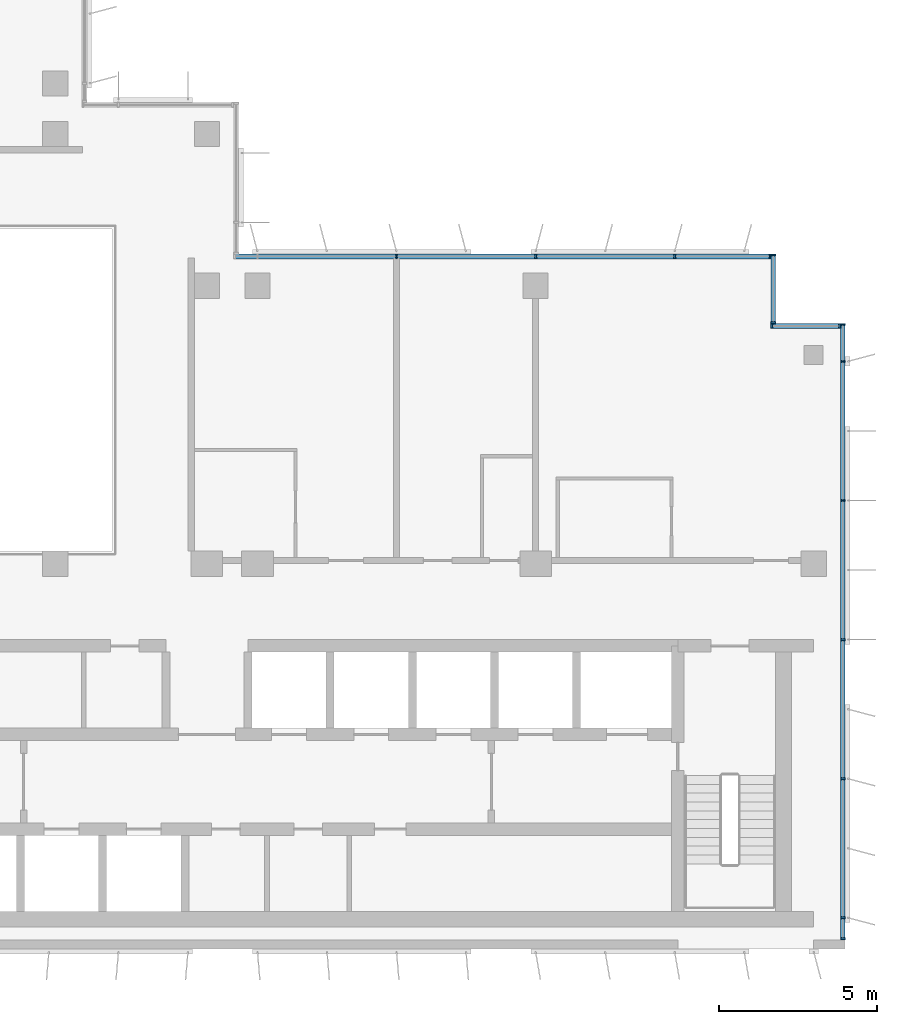
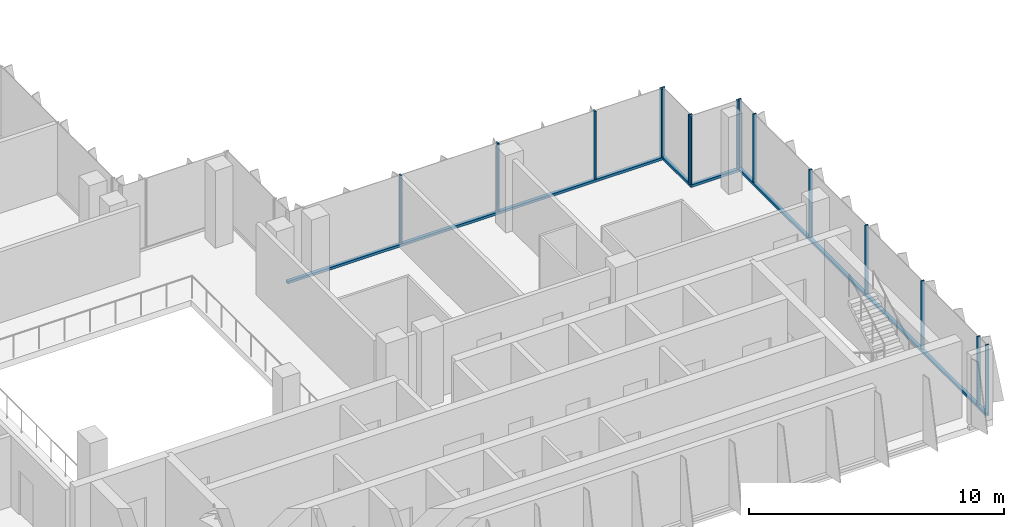
# One storey, part 3 of 16: 19 members, 4 elements without a shape of their own.
"""IFC4 building model written with IfcOpenShell, lengths in metres."""

from ifc_helpers import new_model, si_unit, direction, frame, origin, origin_2d, place, context, subcontext, project, spatial, rectangle, extrude, source, transform, mapped, material, material_profile, profile_set, type_object, element, aggregate, save


model = new_model("IFC4")

# Units and contexts
model_context = context("Model", 3, precision=1e-05, world=origin(), true_north=direction((0.0, 1.0)))
body_context = subcontext(model_context, "Body", "Model", "MODEL_VIEW")
ifc_project = project(units=[si_unit("LENGTHUNIT", "METRE"), si_unit("AREAUNIT", "SQUARE_METRE"), si_unit("VOLUMEUNIT", "CUBIC_METRE"), si_unit("PLANEANGLEUNIT", "RADIAN"), si_unit("MASSUNIT", "GRAM", prefix="KILO")], contexts=[model_context])

# Site, building, storey
site_placement = place(None, origin())
site = spatial("IfcSite", under=ifc_project, at=site_placement, CompositionType="ELEMENT")
building_placement = place(site_placement, origin())
building = spatial("IfcBuilding", under=site, at=building_placement, Name="Kemantara Hotel Tower", CompositionType="ELEMENT")
storey_placement = place(building_placement, frame((0.0, 0.0, 272.199951171875)))
storey = spatial("IfcBuildingStorey", under=building, at=storey_placement, Name="L68", CompositionType="ELEMENT", Elevation=272.199951171875)

# Curtain wall, member
ifc_material_1 = material(Name="Low-E tinted double insulated glass 36 mm", Category="glass")
curtain_wall_type = type_object("IfcCurtainWallType", Name="TOWER CURTAIN WALL, FRONT FACES", PredefinedType="USERDEFINED", material=ifc_material_1)
curtain_wall_1_placement = place(storey_placement, origin())
curtain_wall_1 = element("IfcCurtainWall", 1, at=curtain_wall_1_placement, inside=storey, type_object=curtain_wall_type, Name="CW4 L68 T4-R09-1", ObjectType="TOWER CURTAIN WALL, FRONT FACES", PredefinedType="USERDEFINED")
ifc_material_2 = material(Name="Aluminium 6063-T6 bronze anodised", Category="aluminium")
ifc_material_profile_1 = material_profile(ifc_material_2, rectangle(XDim=0.14990234375, YDim=0.1201171875, at=origin_2d()), Name="TOWER CURTAIN WALL, FRONT FACES TRANSOM")
ifc_profile_set_1 = profile_set([ifc_material_profile_1], Name="Aluminium 6063-T6 bronze anodised")
member_type_1 = type_object("IfcMemberType", Name="TOWER CURTAIN WALL, FRONT FACES TRANSOM", PredefinedType="USERDEFINED", material=ifc_profile_set_1)
member_1_placement = place(storey_placement, frame((45.925048828125, 0.300048828125, 0.06005859375), z_axis=(0.0, 1.0, 0.0), x_axis=(-1.0, 0.0, 0.0)))
member_1 = element("IfcMember", 2, at=member_1_placement, type_object=member_type_1, Name="CW4 sill transom T4-R09-1", ObjectType="TRANSOM", PredefinedType="USERDEFINED", context=body_context, shape_type="SweptSolid", body=[
    extrude(rectangle(XDim=0.14990234375, YDim=0.1201171875, at=origin_2d()), origin(), (0.0, 0.0, 1.0), 19.5),
])

curtain_wall_2_placement = place(storey_placement, origin())
curtain_wall_2 = element("IfcCurtainWall", 3, at=curtain_wall_2_placement, inside=storey, type_object=curtain_wall_type, Name="CW4 L68 T4-R12-1", ObjectType="TOWER CURTAIN WALL, FRONT FACES", PredefinedType="USERDEFINED")
member_2_placement = place(storey_placement, frame((43.64990234375, 21.925048828125, 0.06005859375), z_axis=(-1.0, 0.0, 0.0), x_axis=(0.0, -1.0, 0.0)))
member_2 = element("IfcMember", 4, at=member_2_placement, type_object=member_type_1, Name="CW4 sill transom T4-R12-1", ObjectType="TRANSOM", PredefinedType="USERDEFINED", context=body_context, shape_type="SweptSolid", body=[
    extrude(rectangle(XDim=0.14990234375, YDim=0.1201171875, at=origin_2d()), origin(), (0.0, 0.0, 1.0), 17.0),
])

curtain_wall_3_placement = place(storey_placement, origin())
curtain_wall_3 = element("IfcCurtainWall", 5, at=curtain_wall_3_placement, inside=storey, type_object=curtain_wall_type, Name="CW4 L68 T4-R10-1", ObjectType="TOWER CURTAIN WALL, FRONT FACES", PredefinedType="USERDEFINED")
member_3_placement = place(storey_placement, frame((45.85009765625, 19.72509765625, 0.06005859375), z_axis=(-1.0, 0.0, 0.0), x_axis=(0.0, -1.0, 0.0)))
member_3 = element("IfcMember", 6, at=member_3_placement, type_object=member_type_1, Name="CW4 sill transom T4-R10-1", ObjectType="TRANSOM", PredefinedType="USERDEFINED", context=body_context, shape_type="SweptSolid", body=[
    extrude(rectangle(XDim=0.14990234375, YDim=0.1201171875, at=origin_2d()), origin(), (0.0, 0.0, 1.0), 2.2001953125),
])

curtain_wall_4_placement = place(storey_placement, origin())
curtain_wall_4 = element("IfcCurtainWall", 7, at=curtain_wall_4_placement, inside=storey, type_object=curtain_wall_type, Name="CW4 L68 T4-R11-1", ObjectType="TOWER CURTAIN WALL, FRONT FACES", PredefinedType="USERDEFINED")
member_4_placement = place(storey_placement, frame((43.72509765625, 19.800048828125, 0.06005859375), z_axis=(0.0, 1.0, 0.0), x_axis=(-1.0, 0.0, 0.0)))
member_4 = element("IfcMember", 8, at=member_4_placement, type_object=member_type_1, Name="CW4 sill transom T4-R11-1", ObjectType="TRANSOM", PredefinedType="USERDEFINED", context=body_context, shape_type="SweptSolid", body=[
    extrude(rectangle(XDim=0.14990234375, YDim=0.1201171875, at=origin_2d()), origin(), (0.0, 0.0, 1.0), 2.199951171875),
])

# Member
ifc_material_profile_2 = material_profile(ifc_material_2, rectangle(XDim=0.14990234375, YDim=0.06005859375, at=origin_2d()), Name="TOWER CURTAIN WALL, FRONT FACES MULLION")
ifc_profile_set_2 = profile_set([ifc_material_profile_2], Name="Aluminium 6063-T6 bronze anodised")
member_type_2 = type_object("IfcMemberType", Name="TOWER CURTAIN WALL, FRONT FACES MULLION", PredefinedType="MULLION", material=ifc_profile_set_2)
shared_shape = source(origin(), body_context, "Body", "SweptSolid", [
    extrude(rectangle(XDim=0.14990234375, YDim=0.06005859375, at=origin_2d()), origin(), (0.0, 0.0, 1.0), 3.280029296875),
])
member_5_placement = place(storey_placement, frame((45.925048828125, 0.330078125, 0.1201171875), z_axis=(0.0, 0.0, 1.0), x_axis=(-1.0, 0.0, 0.0)))
member_5 = element("IfcMember", 9, at=member_5_placement, type_object=member_type_2, Name="CW4 mullion T4-R09-1.1", PredefinedType="MULLION", context=body_context, shape_type="MappedRepresentation", body=[
    mapped(shared_shape, transform((0.0, 0.0, 0.0))),
])

member_6_placement = place(storey_placement, frame((45.925048828125, 1.0, 0.1201171875), z_axis=(0.0, 0.0, 1.0), x_axis=(-1.0, 0.0, 0.0)))
member_6 = element("IfcMember", 10, at=member_6_placement, type_object=member_type_2, Name="CW4 mullion T4-R09-1.2", PredefinedType="MULLION", context=body_context, shape_type="MappedRepresentation", body=[
    mapped(shared_shape, transform((0.0, 0.0, 0.0))),
])

member_7_placement = place(storey_placement, frame((45.925048828125, 5.39990234375, 0.1201171875), z_axis=(0.0, 0.0, 1.0), x_axis=(-1.0, 0.0, 0.0)))
member_7 = element("IfcMember", 11, at=member_7_placement, type_object=member_type_2, Name="CW4 mullion T4-R09-1.3", PredefinedType="MULLION", context=body_context, shape_type="MappedRepresentation", body=[
    mapped(shared_shape, transform((0.0, 0.0, 0.0))),
])

member_8_placement = place(storey_placement, frame((45.925048828125, 9.800048828125, 0.1201171875), z_axis=(0.0, 0.0, 1.0), x_axis=(-1.0, 0.0, 0.0)))
member_8 = element("IfcMember", 12, at=member_8_placement, type_object=member_type_2, Name="CW4 mullion T4-R09-1.4", PredefinedType="MULLION", context=body_context, shape_type="MappedRepresentation", body=[
    mapped(shared_shape, transform((0.0, 0.0, 0.0))),
])

member_9_placement = place(storey_placement, frame((45.925048828125, 14.199951171875, 0.1201171875), z_axis=(0.0, 0.0, 1.0), x_axis=(-1.0, 0.0, 0.0)))
member_9 = element("IfcMember", 13, at=member_9_placement, type_object=member_type_2, Name="CW4 mullion T4-R09-1.5", PredefinedType="MULLION", context=body_context, shape_type="MappedRepresentation", body=[
    mapped(shared_shape, transform((0.0, 0.0, 0.0))),
])

member_10_placement = place(storey_placement, frame((45.925048828125, 18.60009765625, 0.1201171875), z_axis=(0.0, 0.0, 1.0), x_axis=(-1.0, 0.0, 0.0)))
member_10 = element("IfcMember", 14, at=member_10_placement, type_object=member_type_2, Name="CW4 mullion T4-R09-1.6", PredefinedType="MULLION", context=body_context, shape_type="MappedRepresentation", body=[
    mapped(shared_shape, transform((0.0, 0.0, 0.0))),
])

member_11_placement = place(storey_placement, frame((45.925048828125, 19.77001953125, 0.1201171875), z_axis=(0.0, 0.0, 1.0), x_axis=(-1.0, 0.0, 0.0)))
member_11 = element("IfcMember", 15, at=member_11_placement, type_object=member_type_2, Name="CW4 mullion T4-R09-1.7", PredefinedType="MULLION", context=body_context, shape_type="MappedRepresentation", body=[
    mapped(shared_shape, transform((0.0, 0.0, 0.0))),
])

aggregate(curtain_wall_1, [member_1, member_5, member_6, member_7, member_8, member_9, member_10, member_11])

member_12_placement = place(storey_placement, frame((43.6201171875, 21.925048828125, 0.1201171875), z_axis=(0.0, 0.0, 1.0), x_axis=(0.0, -1.0, 0.0)))
member_12 = element("IfcMember", 16, at=member_12_placement, type_object=member_type_2, Name="CW4 mullion T4-R12-1.1", PredefinedType="MULLION", context=body_context, shape_type="MappedRepresentation", body=[
    mapped(shared_shape, transform((0.0, 0.0, 0.0))),
])

member_13_placement = place(storey_placement, frame((40.60009765625, 21.925048828125, 0.1201171875), z_axis=(0.0, 0.0, 1.0), x_axis=(0.0, -1.0, 0.0)))
member_13 = element("IfcMember", 17, at=member_13_placement, type_object=member_type_2, Name="CW4 mullion T4-R12-1.2", PredefinedType="MULLION", context=body_context, shape_type="MappedRepresentation", body=[
    mapped(shared_shape, transform((0.0, 0.0, 0.0))),
])

member_14_placement = place(storey_placement, frame((36.199951171875, 21.925048828125, 0.1201171875), z_axis=(0.0, 0.0, 1.0), x_axis=(0.0, -1.0, 0.0)))
member_14 = element("IfcMember", 18, at=member_14_placement, type_object=member_type_2, Name="CW4 mullion T4-R12-1.3", PredefinedType="MULLION", context=body_context, shape_type="MappedRepresentation", body=[
    mapped(shared_shape, transform((0.0, 0.0, 0.0))),
])

member_15_placement = place(storey_placement, frame((31.800048828125, 21.925048828125, 0.1201171875), z_axis=(0.0, 0.0, 1.0), x_axis=(0.0, -1.0, 0.0)))
member_15 = element("IfcMember", 19, at=member_15_placement, type_object=member_type_2, Name="CW4 mullion T4-R12-1.4", PredefinedType="MULLION", context=body_context, shape_type="MappedRepresentation", body=[
    mapped(shared_shape, transform((0.0, 0.0, 0.0))),
])

aggregate(curtain_wall_2, [member_2, member_12, member_13, member_14, member_15])

member_16_placement = place(storey_placement, frame((45.820068359375, 19.72509765625, 0.1201171875), z_axis=(0.0, 0.0, 1.0), x_axis=(0.0, -1.0, 0.0)))
member_16 = element("IfcMember", 20, at=member_16_placement, type_object=member_type_2, Name="CW4 mullion T4-R10-1.1", PredefinedType="MULLION", context=body_context, shape_type="MappedRepresentation", body=[
    mapped(shared_shape, transform((0.0, 0.0, 0.0))),
])

member_17_placement = place(storey_placement, frame((43.679931640625, 19.72509765625, 0.1201171875), z_axis=(0.0, 0.0, 1.0), x_axis=(0.0, -1.0, 0.0)))
member_17 = element("IfcMember", 21, at=member_17_placement, type_object=member_type_2, Name="CW4 mullion T4-R10-1.2", PredefinedType="MULLION", context=body_context, shape_type="MappedRepresentation", body=[
    mapped(shared_shape, transform((0.0, 0.0, 0.0))),
])

aggregate(curtain_wall_3, [member_3, member_16, member_17])

member_18_placement = place(storey_placement, frame((43.72509765625, 19.830078125, 0.1201171875), z_axis=(0.0, 0.0, 1.0), x_axis=(-1.0, 0.0, 0.0)))
member_18 = element("IfcMember", 22, at=member_18_placement, type_object=member_type_2, Name="CW4 mullion T4-R11-1.1", PredefinedType="MULLION", context=body_context, shape_type="MappedRepresentation", body=[
    mapped(shared_shape, transform((0.0, 0.0, 0.0))),
])

member_19_placement = place(storey_placement, frame((43.72509765625, 21.969970703125, 0.1201171875), z_axis=(0.0, 0.0, 1.0), x_axis=(-1.0, 0.0, 0.0)))
member_19 = element("IfcMember", 23, at=member_19_placement, type_object=member_type_2, Name="CW4 mullion T4-R11-1.2", PredefinedType="MULLION", context=body_context, shape_type="MappedRepresentation", body=[
    mapped(shared_shape, transform((0.0, 0.0, 0.0))),
])

aggregate(curtain_wall_4, [member_4, member_18, member_19])

save(model, "model.ifc")
